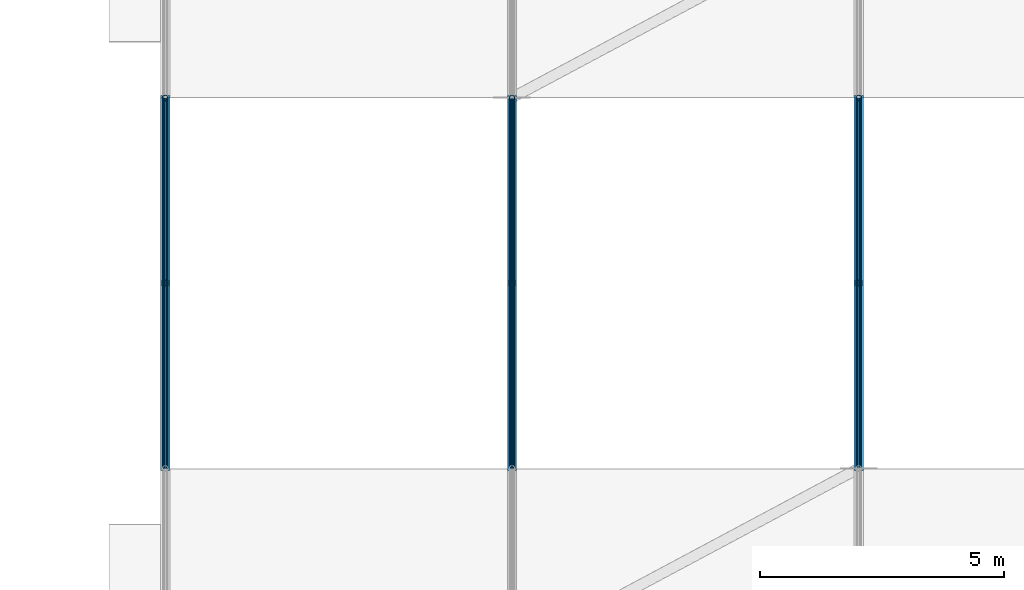
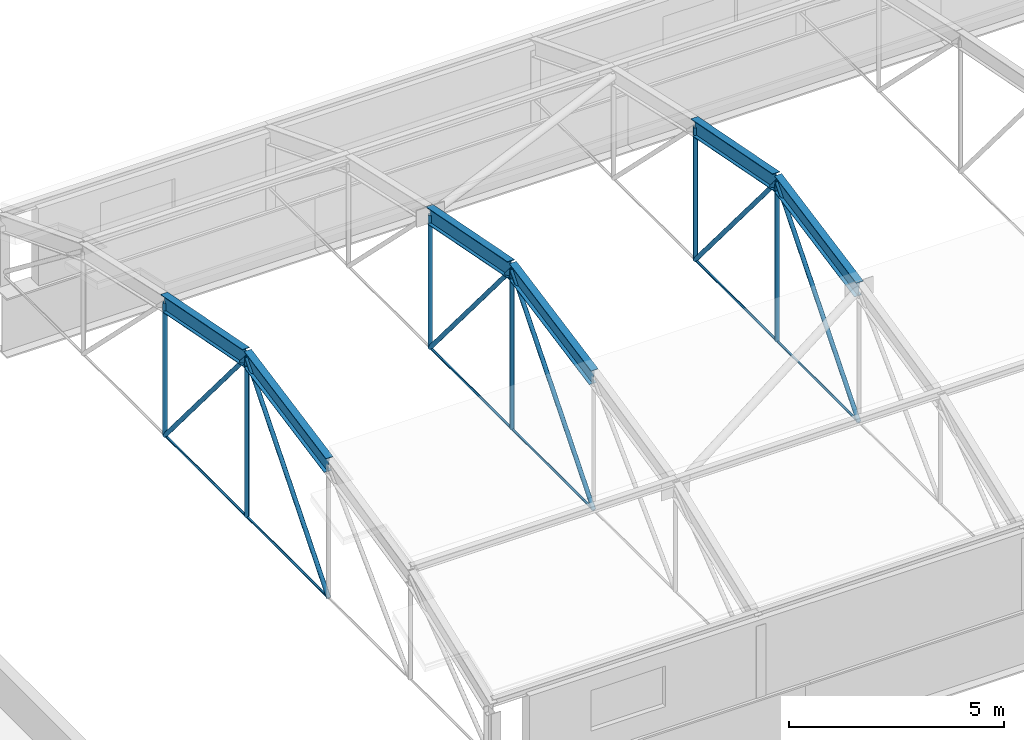
# One storey, part 8 of 53: 18 members, 6 beams.
"""IFC4 building model written with IfcOpenShell, lengths in metres."""

import ifcopenshell
import ifcopenshell.guid

model = None  # the IFC model being written
_history = None  # IfcOwnerHistory: only IFC2X3 demands one
_inside = {}  # id of a spatial element -> (the spatial element, [elements in it])
_under = {}  # id of a project, library or spatial element -> (it, [spatial elements below it])
_declared = {}  # id of a project -> (the project, [libraries it declares])
_typed = {}  # id of a type object -> (the type object, [elements of that type])
_made_of = {}  # id of a material, layer set ... -> (it, [elements and type objects made of it])


def new_model(schema):
    """Start an empty IFC model of exactly this schema.

    Asked for "IFC4X3", IfcOpenShell would pick the latest addendum, in which some entities
    have other attributes; the version numbers below select the first issue.
    IFC2X3 requires an IfcOwnerHistory on every rooted entity: one is made here for all.
    """
    global model, _history
    if schema == "IFC4X3":
        model = ifcopenshell.file(schema_version=(4, 3, 0, 0))
    else:
        model = ifcopenshell.file(schema=schema)
    _inside.clear()
    _under.clear()
    _declared.clear()
    _typed.clear()
    _made_of.clear()
    _history = None
    if model.schema == "IFC2X3":
        org = make("IfcOrganization", Name="unknown")
        user = make(
            "IfcPersonAndOrganization",
            ThePerson=make("IfcPerson", FamilyName="unknown"),
            TheOrganization=org,
        )
        app = make(
            "IfcApplication",
            ApplicationDeveloper=org,
            Version="unknown",
            ApplicationFullName="unknown",
            ApplicationIdentifier="unknown",
        )
        _history = make(
            "IfcOwnerHistory",
            OwningUser=user,
            OwningApplication=app,
            ChangeAction="ADDED",
            CreationDate=0,
        )
    return model


def make(cls, **values):
    """One entity of the class cls with the attributes given. An attribute that is None is left unset."""
    return model.create_entity(
        cls, **{name: value for name, value in values.items() if value is not None}
    )


def rooted(cls, **values):
    """An entity with a GlobalId (a new one), such as an element, a storey or a relation."""
    return make(cls, GlobalId=ifcopenshell.guid.new(), OwnerHistory=_history, **values)


def si_unit(unit_type, name, prefix=None):
    """IfcSIUnit, for example si_unit("LENGTHUNIT", "METRE", prefix="MILLI")."""
    return make("IfcSIUnit", UnitType=unit_type, Prefix=prefix, Name=name)


def assignment(units):
    """IfcUnitAssignment: the units of a project."""
    return None if units is None else make("IfcUnitAssignment", Units=units)


def point(xyz):
    """IfcCartesianPoint."""
    return None if xyz is None else make("IfcCartesianPoint", Coordinates=xyz)


def direction(xyz):
    """IfcDirection."""
    return None if xyz is None else make("IfcDirection", DirectionRatios=xyz)


def frame(location, z_axis=None, x_axis=None):
    """IfcAxis2Placement3D, a coordinate frame: its origin and axes. An axis left out is left unset."""
    return make(
        "IfcAxis2Placement3D",
        Location=point(location),
        Axis=direction(z_axis),
        RefDirection=direction(x_axis),
    )


def frame_2d(location, x_axis=None):
    """IfcAxis2Placement2D, a coordinate frame in the plane: its origin and x axis."""
    return make(
        "IfcAxis2Placement2D", Location=point(location), RefDirection=direction(x_axis)
    )


def origin_with_axes():
    """The frame at (0, 0, 0) with the z axis (0, 0, 1) and the x axis (1, 0, 0) written out."""
    return frame((0.0, 0.0, 0.0), z_axis=(0.0, 0.0, 1.0), x_axis=(1.0, 0.0, 0.0))


def origin_2d_with_axis():
    """The frame at (0, 0) in the plane with the x axis (1, 0) written out."""
    return frame_2d((0.0, 0.0), x_axis=(1.0, 0.0))


def place(relative_to, where):
    """IfcLocalPlacement: puts the frame where relative to a parent placement (None: the world)."""
    return make(
        "IfcLocalPlacement", PlacementRelTo=relative_to, RelativePlacement=where
    )


def context(
    kind, dimensions, precision=None, world=None, true_north=None, identifier=None
):
    """IfcGeometricRepresentationContext, for example the 3D "Model" context."""
    return make(
        "IfcGeometricRepresentationContext",
        ContextIdentifier=identifier,
        ContextType=kind,
        CoordinateSpaceDimension=dimensions,
        Precision=precision,
        WorldCoordinateSystem=world,
        TrueNorth=true_north,
    )


def subcontext(parent, identifier, kind, view, scale=None):
    """IfcGeometricRepresentationSubContext, for example "Body" below "Model"."""
    return make(
        "IfcGeometricRepresentationSubContext",
        ContextIdentifier=identifier,
        ContextType=kind,
        ParentContext=parent,
        TargetScale=scale,
        TargetView=view,
    )


def project(units=None, contexts=None):
    """IfcProject with its units and contexts."""
    return rooted(
        "IfcProject",
        Name="project",
        RepresentationContexts=contexts,
        UnitsInContext=assignment(units),
    )


def spatial(cls, under=None, at=None, **own):
    """A site, building, storey or space (cls), placed at a placement, below another one or the project."""
    s = rooted(cls, ObjectPlacement=at, **own)
    if under is not None:
        _under.setdefault(under.id(), (under, []))[1].append(s)
    return s


def profile(cls, at=None, kind="AREA", **sizes):
    """A parametric profile (cls). Its sizes go by their IFC names, for example OverallWidth=200.0."""
    return make(cls, ProfileType=kind, Position=at, **sizes)


def circle(**sizes):
    """IfcCircleProfileDef."""
    return profile("IfcCircleProfileDef", **sizes)


def hollow_circle(**sizes):
    """IfcCircleHollowProfileDef."""
    return profile("IfcCircleHollowProfileDef", **sizes)


def i_section(**sizes):
    """IfcIShapeProfileDef."""
    return profile("IfcIShapeProfileDef", **sizes)


def extrude(swept, where, along, depth):
    """IfcExtrudedAreaSolid: the profile swept, set in the frame where, extruded along a direction by depth."""
    return make(
        "IfcExtrudedAreaSolid",
        SweptArea=swept,
        Position=where,
        ExtrudedDirection=direction(along),
        Depth=depth,
    )


def shape(context_of_items, identifier, shape_type, items):
    """IfcShapeRepresentation: the items that make up one representation, for example the "Body"."""
    return make(
        "IfcShapeRepresentation",
        ContextOfItems=context_of_items,
        RepresentationIdentifier=identifier,
        RepresentationType=shape_type,
        Items=items,
    )


def material(Name=None, Category=None):
    """IfcMaterial."""
    return make("IfcMaterial", Name=Name, Category=Category)


def material_profile(
    of_material, cross_section, Name=None, Category=None, Priority=None
):
    """IfcMaterialProfile: a cross section and its material."""
    return make(
        "IfcMaterialProfile",
        Name=Name,
        Material=of_material,
        Profile=cross_section,
        Priority=Priority,
        Category=Category,
    )


def profile_set(profiles, Name=None, composite=None):
    """IfcMaterialProfileSet."""
    return make(
        "IfcMaterialProfileSet",
        Name=Name,
        MaterialProfiles=profiles,
        CompositeProfile=composite,
    )


def made_of(thing, what):
    """Note that an element or type object is made of a material, layer set ...; save() writes the relation."""
    if what is not None:
        _made_of.setdefault(what.id(), (what, []))[1].append(thing)
    return thing


def type_object(cls, material=None, **own):
    """A type object (cls), such as IfcWallType, which elements share."""
    return made_of(rooted(cls, **own), material)


def element(
    cls,
    number,
    at=None,
    inside=None,
    cuts=None,
    type_object=None,
    material=None,
    context=None,
    identifier="Body",
    shape_type=None,
    held_by="IfcProductDefinitionShape",
    body=None,
    shapes=None,
    **own,
):
    """One element of the class cls, such as IfcWall. Its Tag is "e" and its number.

    at: its placement. inside: the storey or other place that contains it. cuts: it is an
    opening in that element (IfcRelVoidsElement). A single representation is given by context,
    identifier, shape_type and body (its items); several are given by shapes. held_by: the class
    of the entity that holds the representations. save() writes the other relations.
    """
    e = rooted(cls, Tag="e%d" % number, ObjectPlacement=at, **own)
    if body is not None:
        shapes = [shape(context, identifier, shape_type, body)]
    if shapes is not None:
        e.Representation = make(held_by, Representations=shapes)
    if inside is not None:
        _inside.setdefault(inside.id(), (inside, []))[1].append(e)
    if cuts is not None:
        rooted(
            "IfcRelVoidsElement", RelatingBuildingElement=cuts, RelatedOpeningElement=e
        )
    if type_object is not None:
        _typed.setdefault(type_object.id(), (type_object, []))[1].append(e)
    return made_of(e, material)


def aggregate(whole, parts):
    """IfcRelAggregates: a whole, such as a stair, and the parts it consists of."""
    return rooted("IfcRelAggregates", RelatingObject=whole, RelatedObjects=parts)


def save(model, path):
    """Write the relations noted so far, then the file.

    IfcRelAggregates (storeys below a building ...), IfcRelContainedInSpatialStructure (elements
    in a storey), IfcRelDefinesByType, IfcRelAssociatesMaterial and IfcRelDeclares: one each for
    every whole, place, type object, material and project.
    """
    for whole, parts in _under.values():
        aggregate(whole, parts)
    for where, things in _inside.values():
        rooted(
            "IfcRelContainedInSpatialStructure",
            RelatedElements=things,
            RelatingStructure=where,
        )
    for kind, things in _typed.values():
        rooted("IfcRelDefinesByType", RelatedObjects=things, RelatingType=kind)
    for what, things in _made_of.values():
        rooted("IfcRelAssociatesMaterial", RelatedObjects=things, RelatingMaterial=what)
    for by, libraries in _declared.values():
        rooted("IfcRelDeclares", RelatingContext=by, RelatedDefinitions=libraries)
    model.write(path)


model = new_model("IFC4")

# Units and contexts
model_context = context("Model", 3, precision=1e-05, world=origin_with_axes(), true_north=direction((0.0, 1.0)))
body_context = subcontext(model_context, "Body", "Model", "MODEL_VIEW")
ifc_project = project(units=[si_unit("LENGTHUNIT", "METRE"), si_unit("AREAUNIT", "SQUARE_METRE"), si_unit("VOLUMEUNIT", "CUBIC_METRE"), si_unit("PLANEANGLEUNIT", "RADIAN"), si_unit("MASSUNIT", "GRAM", prefix="KILO"), si_unit("THERMODYNAMICTEMPERATUREUNIT", "KELVIN")], contexts=[model_context])

# Site, building, storey
site_placement = place(None, origin_with_axes())
site = spatial("IfcSite", under=ifc_project, at=site_placement, CompositionType="ELEMENT")
building_placement = place(site_placement, origin_with_axes())
building = spatial("IfcBuilding", under=site, at=building_placement, Name="Montbau Bow Law Courts", CompositionType="ELEMENT")
storey_placement = place(building_placement, frame((0.0, 0.0, 39.0), z_axis=(0.0, 0.0, 1.0), x_axis=(1.0, 0.0, 0.0)))
storey = spatial("IfcBuildingStorey", under=building, at=storey_placement, Name="L08", CompositionType="ELEMENT", Elevation=39.0)

# Beams
ifc_material = material(Name="Steel CSA G40.21 Grade 350WT (350 MPa)", Category="steel")
ifc_material_profile_1 = material_profile(ifc_material, i_section(OverallWidth=0.191, OverallDepth=0.46, WebThickness=0.0099, FlangeThickness=0.016, at=origin_2d_with_axis()), Name="W460X82", Category="Main", Priority=0)
ifc_profile_set_1 = profile_set([ifc_material_profile_1], Name="Steel CSA G40.21 Grade 350WT (350 MPa)")
beam_type = type_object("IfcBeamType", Name="B-ARC-02", PredefinedType="USERDEFINED", material=ifc_profile_set_1)
for number, where, z_axis, x_axis, name in (
    (1, (55.2, 46.6, 43.024), (0.0, 0.981513084, 0.191395051), (-1.0, 0.0, 0.0), "Barrel vault roof truss arch rib V3-099"),
    (2, (55.2, 50.4, 43.765), (0.0, 0.981513084, -0.191395051), (-1.0, 0.0, 0.0), "Barrel vault roof truss arch rib V3-100"),
    (3, (62.314, 46.6, 43.024), (0.0, 0.981513084, 0.191395051), (-1.0, 0.0, 0.0), "Barrel vault roof truss arch rib V3-105"),
    (4, (62.314, 50.4, 43.765), (0.0, 0.981513084, -0.191395051), (-1.0, 0.0, 0.0), "Barrel vault roof truss arch rib V3-106"),
    (5, (69.429, 46.6, 43.024), (0.0, 0.981513084, 0.191395051), (-1.0, 0.0, 0.0), "Barrel vault roof truss arch rib V3-111"),
    (6, (69.429, 50.4, 43.765), (0.0, 0.981513084, -0.191395051), (-1.0, 0.0, 0.0), "Barrel vault roof truss arch rib V3-112"),
):
    element("IfcBeam", number, at=place(None, frame(where, z_axis=z_axis, x_axis=x_axis)), inside=storey, type_object=beam_type, Name=name, ObjectType="ARCH_RIB", PredefinedType="USERDEFINED", context=body_context, shape_type="SweptSolid", body=[
        extrude(i_section(OverallWidth=0.191, OverallDepth=0.46, WebThickness=0.0099, FlangeThickness=0.016, at=origin_2d_with_axis()), origin_with_axes(), (0.0, 0.0, 1.0), 3.871573),
    ])

# Members
ifc_material_profile_2 = material_profile(ifc_material, hollow_circle(Radius=0.057, WallThickness=0.008, at=origin_2d_with_axis()), Name="HSS114X8.0", Category="Main", Priority=0)
ifc_profile_set_2 = profile_set([ifc_material_profile_2], Name="Steel CSA G40.21 Grade 350WT (350 MPa)")
member_type_1 = type_object("IfcMemberType", Name="M-STR-03", PredefinedType="STRUT", material=ifc_profile_set_2)
for number, where, z_axis, x_axis, name in (
    (7, (55.2, 46.6, 39.25), (0.0, 0.643926993, 0.765086941), (-1.0, 0.0, 0.0), "Barrel vault roof truss web diagonal V3-01-3"),
    (8, (55.2, 50.4, 43.765), (0.0, 0.643926993, -0.765086941), (-1.0, 0.0, 0.0), "Barrel vault roof truss web diagonal V3-01-4"),
):
    element("IfcMember", number, at=place(None, frame(where, z_axis=z_axis, x_axis=x_axis)), inside=storey, type_object=member_type_1, Name=name, PredefinedType="STRUT", context=body_context, shape_type="SweptSolid", body=[
        extrude(hollow_circle(Radius=0.057, WallThickness=0.008, at=origin_2d_with_axis()), origin_with_axes(), (0.0, 0.0, 1.0), 5.90129),
    ])
member_1_placement = place(None, frame((55.2, 50.4, 39.25), z_axis=(0.0, 0.0, 1.0), x_axis=(1.0, 0.0, 0.0)))
element("IfcMember", 9, at=member_1_placement, inside=storey, type_object=member_type_1, Name="Barrel vault roof truss web post V3-01-3", PredefinedType="STRUT", context=body_context, shape_type="SweptSolid", body=[
    extrude(hollow_circle(Radius=0.057, WallThickness=0.008, at=origin_2d_with_axis()), origin_with_axes(), (0.0, 0.0, 1.0), 4.515),
])
member_2_placement = place(None, frame((55.2, 54.2, 39.25), z_axis=(0.0, 0.0, 1.0), x_axis=(1.0, 0.0, 0.0)))
element("IfcMember", 10, at=member_2_placement, inside=storey, type_object=member_type_1, Name="Barrel vault roof truss web post V3-01-4", PredefinedType="STRUT", context=body_context, shape_type="SweptSolid", body=[
    extrude(hollow_circle(Radius=0.057, WallThickness=0.008, at=origin_2d_with_axis()), origin_with_axes(), (0.0, 0.0, 1.0), 3.774),
])
for number, where, z_axis, x_axis, name in (
    (11, (62.314, 46.6, 39.25), (0.0, 0.643926993, 0.765086941), (-1.0, 0.0, 0.0), "Barrel vault roof truss web diagonal V3-02-3"),
    (12, (62.314, 50.4, 43.765), (0.0, 0.643926993, -0.765086941), (-1.0, 0.0, 0.0), "Barrel vault roof truss web diagonal V3-02-4"),
):
    element("IfcMember", number, at=place(None, frame(where, z_axis=z_axis, x_axis=x_axis)), inside=storey, type_object=member_type_1, Name=name, PredefinedType="STRUT", context=body_context, shape_type="SweptSolid", body=[
        extrude(hollow_circle(Radius=0.057, WallThickness=0.008, at=origin_2d_with_axis()), origin_with_axes(), (0.0, 0.0, 1.0), 5.90129),
    ])
member_3_placement = place(None, frame((62.314, 50.4, 39.25), z_axis=(0.0, 0.0, 1.0), x_axis=(1.0, 0.0, 0.0)))
element("IfcMember", 13, at=member_3_placement, inside=storey, type_object=member_type_1, Name="Barrel vault roof truss web post V3-02-3", PredefinedType="STRUT", context=body_context, shape_type="SweptSolid", body=[
    extrude(hollow_circle(Radius=0.057, WallThickness=0.008, at=origin_2d_with_axis()), origin_with_axes(), (0.0, 0.0, 1.0), 4.515),
])
member_4_placement = place(None, frame((62.314, 54.2, 39.25), z_axis=(0.0, 0.0, 1.0), x_axis=(1.0, 0.0, 0.0)))
element("IfcMember", 14, at=member_4_placement, inside=storey, type_object=member_type_1, Name="Barrel vault roof truss web post V3-02-4", PredefinedType="STRUT", context=body_context, shape_type="SweptSolid", body=[
    extrude(hollow_circle(Radius=0.057, WallThickness=0.008, at=origin_2d_with_axis()), origin_with_axes(), (0.0, 0.0, 1.0), 3.774),
])
for number, where, z_axis, x_axis, name in (
    (15, (69.429, 46.6, 39.25), (0.0, 0.643926993, 0.765086941), (-1.0, 0.0, 0.0), "Barrel vault roof truss web diagonal V3-03-3"),
    (16, (69.429, 50.4, 43.765), (0.0, 0.643926993, -0.765086941), (-1.0, 0.0, 0.0), "Barrel vault roof truss web diagonal V3-03-4"),
):
    element("IfcMember", number, at=place(None, frame(where, z_axis=z_axis, x_axis=x_axis)), inside=storey, type_object=member_type_1, Name=name, PredefinedType="STRUT", context=body_context, shape_type="SweptSolid", body=[
        extrude(hollow_circle(Radius=0.057, WallThickness=0.008, at=origin_2d_with_axis()), origin_with_axes(), (0.0, 0.0, 1.0), 5.90129),
    ])
member_5_placement = place(None, frame((69.429, 50.4, 39.25), z_axis=(0.0, 0.0, 1.0), x_axis=(1.0, 0.0, 0.0)))
element("IfcMember", 17, at=member_5_placement, inside=storey, type_object=member_type_1, Name="Barrel vault roof truss web post V3-03-3", PredefinedType="STRUT", context=body_context, shape_type="SweptSolid", body=[
    extrude(hollow_circle(Radius=0.057, WallThickness=0.008, at=origin_2d_with_axis()), origin_with_axes(), (0.0, 0.0, 1.0), 4.515),
])
member_6_placement = place(None, frame((69.429, 54.2, 39.25), z_axis=(0.0, 0.0, 1.0), x_axis=(1.0, 0.0, 0.0)))
element("IfcMember", 18, at=member_6_placement, inside=storey, type_object=member_type_1, Name="Barrel vault roof truss web post V3-03-4", PredefinedType="STRUT", context=body_context, shape_type="SweptSolid", body=[
    extrude(hollow_circle(Radius=0.057, WallThickness=0.008, at=origin_2d_with_axis()), origin_with_axes(), (0.0, 0.0, 1.0), 3.774),
])
ifc_material_profile_3 = material_profile(ifc_material, circle(Radius=0.032, at=origin_2d_with_axis()), Name="ROD64", Category="Main", Priority=0)
ifc_profile_set_3 = profile_set([ifc_material_profile_3], Name="Steel CSA G40.21 Grade 350WT (350 MPa)")
member_type_2 = type_object("IfcMemberType", Name="M-TIE-02", PredefinedType="USERDEFINED", material=ifc_profile_set_3)
for number, where, z_axis, x_axis, name in (
    (19, (55.2, 46.6, 39.25), (0.0, 1.0, 0.0), (-1.0, 0.0, 0.0), "Barrel vault roof truss tie V3-099"),
    (20, (55.2, 50.4, 39.25), (0.0, 1.0, 0.0), (-1.0, 0.0, 0.0), "Barrel vault roof truss tie V3-100"),
    (21, (62.314, 46.6, 39.25), (0.0, 1.0, 0.0), (-1.0, 0.0, 0.0), "Barrel vault roof truss tie V3-105"),
    (22, (62.314, 50.4, 39.25), (0.0, 1.0, 0.0), (-1.0, 0.0, 0.0), "Barrel vault roof truss tie V3-106"),
    (23, (69.429, 46.6, 39.25), (0.0, 1.0, 0.0), (-1.0, 0.0, 0.0), "Barrel vault roof truss tie V3-111"),
    (24, (69.429, 50.4, 39.25), (0.0, 1.0, 0.0), (-1.0, 0.0, 0.0), "Barrel vault roof truss tie V3-112"),
):
    element("IfcMember", number, at=place(None, frame(where, z_axis=z_axis, x_axis=x_axis)), inside=storey, type_object=member_type_2, Name=name, ObjectType="TIEBAR", PredefinedType="USERDEFINED", context=body_context, shape_type="SweptSolid", body=[
        extrude(circle(Radius=0.032, at=origin_2d_with_axis()), origin_with_axes(), (0.0, 0.0, 1.0), 3.8),
    ])

save(model, "model.ifc")
